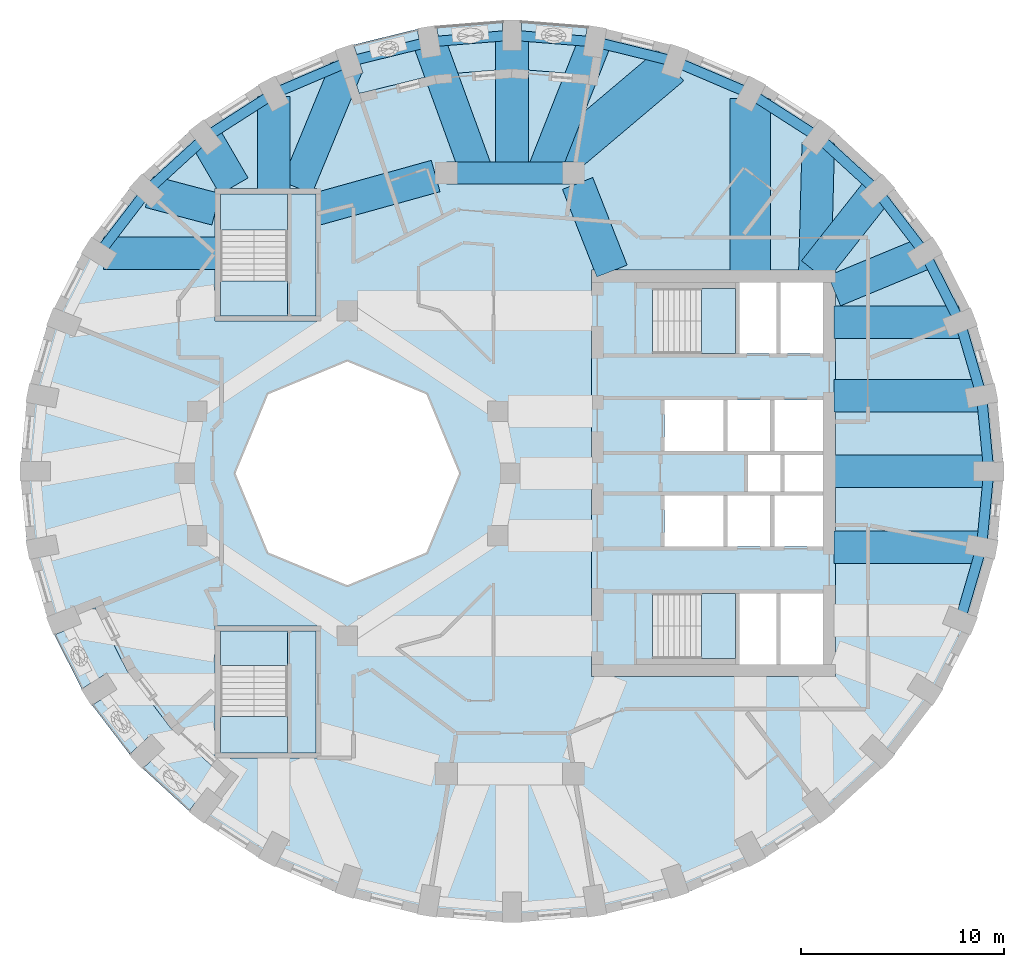
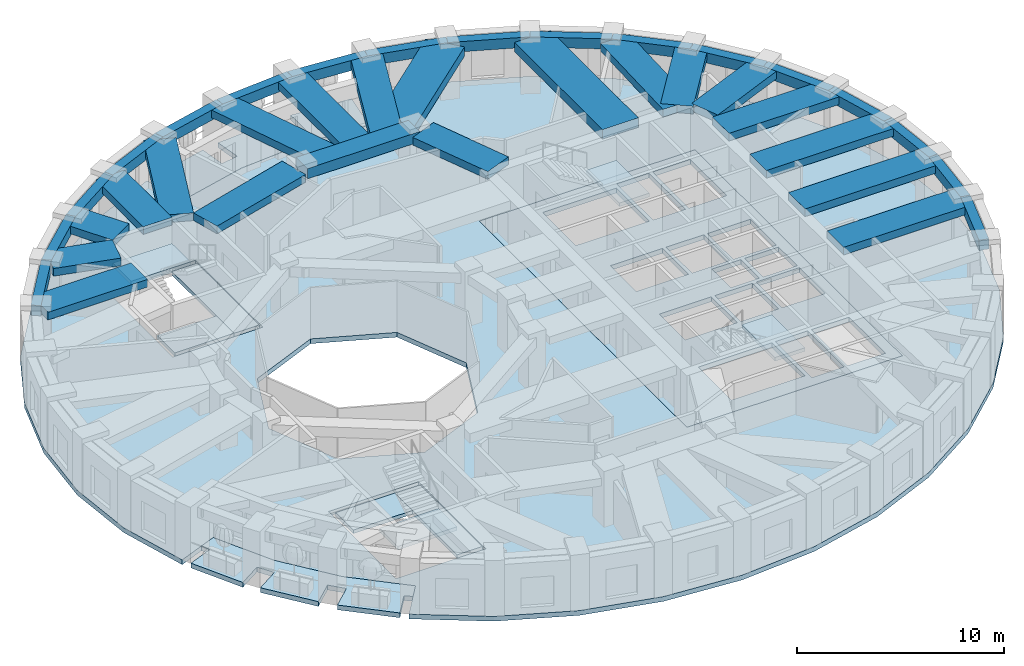
# One storey, part 2 of 11: 37 beams, 12 slabs, 4 elements without a shape of their own.
"""IFC4 building model written with IfcOpenShell, lengths in metres."""

from ifc_helpers import new_model, si_unit, direction, frame, origin, origin_2d, place, context, subcontext, project, spatial, polyline, rectangle, outline, extrude, material, layer, layer_set, material_profile, profile_set, type_object, element, aggregate, save


model = new_model("IFC4")

# Units and contexts
model_context = context("Model", 3, precision=1e-05, world=origin(), true_north=direction((0.0, 1.0)))
body_context = subcontext(model_context, "Body", "Model", "MODEL_VIEW")
ifc_project = project(units=[si_unit("LENGTHUNIT", "METRE"), si_unit("AREAUNIT", "SQUARE_METRE"), si_unit("VOLUMEUNIT", "CUBIC_METRE"), si_unit("PLANEANGLEUNIT", "RADIAN"), si_unit("MASSUNIT", "GRAM", prefix="KILO")], contexts=[model_context])

# Site, building, storey
site_placement = place(None, origin())
site = spatial("IfcSite", under=ifc_project, at=site_placement, CompositionType="ELEMENT")
building_placement = place(site_placement, origin())
building = spatial("IfcBuilding", under=site, at=building_placement, Name="Taillehof Tower", CompositionType="ELEMENT")
storey_placement = place(building_placement, frame((0.0, 0.0, 174.800048828125)))
storey = spatial("IfcBuildingStorey", under=building, at=storey_placement, Name="L49", CompositionType="ELEMENT", Elevation=174.800048828125)

# Beams
ifc_material_1 = material(Name="Concrete C50/60", Category="concrete")
ifc_material_profile_1 = material_profile(ifc_material_1, rectangle(XDim=1.10009765625, YDim=0.60009765625, at=origin_2d()), Name="RC 1100x600")
ifc_profile_set_1 = profile_set([ifc_material_profile_1], Name="Concrete C50/60")
beam_type_1 = type_object("IfcBeamType", Name="Mid-ring beam C50/60 1100x600", PredefinedType="BEAM", material=ifc_profile_set_1)
beam_1_placement = place(storey_placement, frame((3.125732421875, 14.772216796875, 2.719970703125), z_axis=(-1.0, 0.0, 0.0), x_axis=(0.0, -1.0, 0.0)))
element("IfcBeam", 1, at=beam_1_placement, inside=storey, type_object=beam_type_1, Name="Mid-ring beam MB01", PredefinedType="BEAM", context=body_context, shape_type="SweptSolid", body=[
    extrude(rectangle(XDim=1.10009765625, YDim=0.60009765625, at=origin_2d()), origin(), (0.0, 0.0, 1.0), 6.25146484375),
])
ifc_material_2 = material(Name="Concrete C50/60", Category="concrete")
ifc_material_profile_2 = material_profile(ifc_material_2, rectangle(XDim=1.60009765625, YDim=0.449951171875, at=origin_2d()), Name="RC 1600x450")
ifc_profile_set_2 = profile_set([ifc_material_profile_2], Name="Concrete C50/60")
beam_type_2 = type_object("IfcBeamType", Name="Radial band beam C50/60 1600x450", PredefinedType="BEAM", material=ifc_profile_set_2)
beam_2_placement = place(storey_placement, frame((23.550048828125, 0.10009765625, 2.794921875), z_axis=(-1.0, 0.0, 0.0), x_axis=(0.0, -1.0, 0.0)))
element("IfcBeam", 2, at=beam_2_placement, inside=storey, type_object=beam_type_2, Name="Radial band beam RB01", PredefinedType="BEAM", context=body_context, shape_type="SweptSolid", body=[
    extrude(rectangle(XDim=1.60009765625, YDim=0.449951171875, at=origin_2d()), origin(), (0.0, 0.0, 1.0), 7.60009765625),
])
beam_3_placement = place(storey_placement, frame((23.19384765625, 3.82470703125, 2.794921875), z_axis=(-1.0, 0.0, 0.0), x_axis=(0.0, -1.0, 0.0)))
element("IfcBeam", 3, at=beam_3_placement, inside=storey, type_object=beam_type_2, Name="Radial band beam RB02", PredefinedType="BEAM", context=body_context, shape_type="SweptSolid", body=[
    extrude(rectangle(XDim=1.60009765625, YDim=0.449951171875, at=origin_2d()), origin(), (0.0, 0.0, 1.0), 7.243896484375),
])
beam_4_placement = place(storey_placement, frame((22.08642578125, 7.436279296875, 2.794921875), z_axis=(-1.0, 0.0, 0.0), x_axis=(0.0, -1.0, 0.0)))
element("IfcBeam", 4, at=beam_4_placement, inside=storey, type_object=beam_type_2, Name="Radial band beam RB03", PredefinedType="BEAM", context=body_context, shape_type="SweptSolid", body=[
    extrude(rectangle(XDim=1.60009765625, YDim=0.449951171875, at=origin_2d()), origin(), (0.0, 0.0, 1.0), 6.136474609375),
])
beam_5_placement = place(storey_placement, frame((20.408203125, 10.824951171875, 2.794921875), z_axis=(-0.92395697655, -0.382496412381, 0.0), x_axis=(0.382496412381, -0.92395697655, 0.0)))
element("IfcBeam", 5, at=beam_5_placement, inside=storey, type_object=beam_type_2, Name="Radial band beam RB04", PredefinedType="BEAM", context=body_context, shape_type="SweptSolid", body=[
    extrude(rectangle(XDim=1.60009765625, YDim=0.449951171875, at=origin_2d()), origin(), (0.0, 0.0, 1.0), 4.821044921875),
])
beam_6_placement = place(storey_placement, frame((18.063720703125, 13.8876953125, 2.794921875), z_axis=(-0.618961692467, -0.785421175713, 0.0), x_axis=(0.785421175713, -0.618961692467, 0.0)))
element("IfcBeam", 6, at=beam_6_placement, inside=storey, type_object=beam_type_2, Name="Radial band beam RB05", PredefinedType="BEAM", context=body_context, shape_type="SweptSolid", body=[
    extrude(rectangle(XDim=1.60009765625, YDim=0.449951171875, at=origin_2d()), origin(), (0.0, 0.0, 1.0), 4.999755859375),
])
beam_7_placement = place(storey_placement, frame((15.166259765625, 16.259765625, 2.794921875), z_axis=(-0.026533506529, -0.999647924537, 0.0), x_axis=(0.999647924537, -0.026533506529, 0.0)))
element("IfcBeam", 7, at=beam_7_placement, inside=storey, type_object=beam_type_2, Name="Radial band beam RB06", PredefinedType="BEAM", context=body_context, shape_type="SweptSolid", body=[
    extrude(rectangle(XDim=1.60009765625, YDim=0.449951171875, at=origin_2d()), origin(), (0.0, 0.0, 1.0), 6.31201171875),
])
beam_8_placement = place(storey_placement, frame((4.172119140625, 21.22412109375, 2.794921875), z_axis=(-0.36711444375, -0.930175781877, 0.0), x_axis=(0.930175781877, -0.36711444375, 0.0)))
element("IfcBeam", 8, at=beam_8_placement, inside=storey, type_object=beam_type_2, Name="Radial band beam RB09", PredefinedType="BEAM", context=body_context, shape_type="SweptSolid", body=[
    extrude(rectangle(XDim=1.60009765625, YDim=0.449951171875, at=origin_2d()), origin(), (0.0, 0.0, 1.0), 6.936279296875),
])
beam_9_placement = place(storey_placement, frame((0.10009765625, 21.550048828125, 2.794921875), z_axis=(0.0, -1.0, 0.0), x_axis=(1.0, 0.0, 0.0)))
element("IfcBeam", 9, at=beam_9_placement, inside=storey, type_object=beam_type_2, Name="Radial band beam RB10", PredefinedType="BEAM", context=body_context, shape_type="SweptSolid", body=[
    extrude(rectangle(XDim=1.60009765625, YDim=0.449951171875, at=origin_2d()), origin(), (0.0, 0.0, 1.0), 6.77783203125),
])
beam_10_placement = place(storey_placement, frame((-3.97216796875, 21.22412109375, 2.794921875), z_axis=(0.341780181607, -0.939779925015, 0.0), x_axis=(0.939779925015, 0.341780181607, 0.0)))
element("IfcBeam", 10, at=beam_10_placement, inside=storey, type_object=beam_type_2, Name="Radial band beam RB11", PredefinedType="BEAM", context=body_context, shape_type="SweptSolid", body=[
    extrude(rectangle(XDim=1.60009765625, YDim=0.449951171875, at=origin_2d()), origin(), (0.0, 0.0, 1.0), 6.865234375),
])
beam_11_placement = place(storey_placement, frame((-8.04443359375, 19.95556640625, 2.794921875), z_axis=(-0.381176869418, -0.924502133162, 0.0), x_axis=(0.924502133162, -0.381176869418, 0.0)))
element("IfcBeam", 11, at=beam_11_placement, inside=storey, type_object=beam_type_2, Name="Radial band beam RB12", PredefinedType="BEAM", context=body_context, shape_type="SweptSolid", body=[
    extrude(rectangle(XDim=1.60009765625, YDim=0.449951171875, at=origin_2d()), origin(), (0.0, 0.0, 1.0), 6.382568359375),
])
beam_12_placement = place(storey_placement, frame((-11.625, 18.536376953125, 2.794921875), z_axis=(0.0, -1.0, 0.0), x_axis=(1.0, 0.0, 0.0)))
element("IfcBeam", 12, at=beam_12_placement, inside=storey, type_object=beam_type_2, Name="Radial band beam RB13", PredefinedType="BEAM", context=body_context, shape_type="SweptSolid", body=[
    extrude(rectangle(XDim=1.60009765625, YDim=0.449951171875, at=origin_2d()), origin(), (0.0, 0.0, 1.0), 4.58642578125),
])
beam_13_placement = place(storey_placement, frame((-14.973388671875, 16.53173828125, 2.794921875), z_axis=(0.502991419937, -0.864291404255, 0.0), x_axis=(0.864291404255, 0.502991419937, 0.0)))
element("IfcBeam", 13, at=beam_13_placement, inside=storey, type_object=beam_type_2, Name="Radial band beam RB14", PredefinedType="BEAM", context=body_context, shape_type="SweptSolid", body=[
    extrude(rectangle(XDim=1.60009765625, YDim=0.449951171875, at=origin_2d()), origin(), (0.0, 0.0, 1.0), 2.779296875),
])
beam_14_placement = place(storey_placement, frame((-17.72998046875, 13.8525390625, 2.794921875), z_axis=(0.966882543987, -0.255221758736, 0.0), x_axis=(0.255221758736, 0.966882543987, 0.0)))
element("IfcBeam", 14, at=beam_14_placement, inside=storey, type_object=beam_type_2, Name="Radial band beam RB15", PredefinedType="BEAM", context=body_context, shape_type="SweptSolid", body=[
    extrude(rectangle(XDim=1.60009765625, YDim=0.449951171875, at=origin_2d()), origin(), (0.0, 0.0, 1.0), 3.381591796875),
])
beam_15_placement = place(storey_placement, frame((-19.9990234375, 10.824951171875, 2.794921875), z_axis=(1.0, 0.0, 0.0), x_axis=(0.0, 1.0, 0.0)))
element("IfcBeam", 15, at=beam_15_placement, inside=storey, type_object=beam_type_2, Name="Radial band beam RB16", PredefinedType="BEAM", context=body_context, shape_type="SweptSolid", body=[
    extrude(rectangle(XDim=1.60009765625, YDim=0.449951171875, at=origin_2d()), origin(), (0.0, 0.0, 1.0), 5.549072265625),
])
beam_16_placement = place(storey_placement, frame((23.19384765625, -3.624755859375, 2.794921875), z_axis=(-1.0, 0.0, 0.0), x_axis=(0.0, -1.0, 0.0)))
element("IfcBeam", 16, at=beam_16_placement, inside=storey, type_object=beam_type_2, Name="Radial band beam RB36", PredefinedType="BEAM", context=body_context, shape_type="SweptSolid", body=[
    extrude(rectangle(XDim=1.60009765625, YDim=0.449951171875, at=origin_2d()), origin(), (0.0, 0.0, 1.0), 7.243896484375),
])
beam_17_placement = place(storey_placement, frame((3.32666015625, 14.26025390625, 2.794921875), z_axis=(0.365588707223, -0.930776502255, 0.0), x_axis=(0.930776502255, 0.365588707223, 0.0)))
element("IfcBeam", 17, at=beam_17_placement, inside=storey, type_object=beam_type_2, Name="Inner band beam IB205", PredefinedType="BEAM", context=body_context, shape_type="SweptSolid", body=[
    extrude(rectangle(XDim=1.60009765625, YDim=0.449951171875, at=origin_2d()), origin(), (0.0, 0.0, 1.0), 4.627197265625),
])
beam_18_placement = place(storey_placement, frame((-3.655517578125, 14.624755859375, 2.794921875), z_axis=(-0.963459369536, -0.267854518821, 0.0), x_axis=(0.267854518821, -0.963459369536, 0.0)))
element("IfcBeam", 18, at=beam_18_placement, inside=storey, type_object=beam_type_2, Name="Inner band beam IB206", PredefinedType="BEAM", context=body_context, shape_type="SweptSolid", body=[
    extrude(rectangle(XDim=1.60009765625, YDim=0.449951171875, at=origin_2d()), origin(), (0.0, 0.0, 1.0), 6.096923828125),
])
ifc_material_3 = material(Name="Concrete C50/60", Category="concrete")
ifc_material_profile_3 = material_profile(ifc_material_3, rectangle(XDim=2.0, YDim=0.550048828125, at=origin_2d()), Name="RC 2000x550")
ifc_profile_set_3 = profile_set([ifc_material_profile_3], Name="Concrete C50/60")
beam_type_3 = type_object("IfcBeamType", Name="Radial band beam C50/60 2000x550", PredefinedType="BEAM", material=ifc_profile_set_3)
beam_19_placement = place(storey_placement, frame((11.824951171875, 18.430908203125, 2.744873046875), z_axis=(0.0, -1.0, 0.0), x_axis=(1.0, 0.0, 0.0)))
element("IfcBeam", 19, at=beam_19_placement, inside=storey, type_object=beam_type_3, Name="Radial band beam RB07", PredefinedType="BEAM", context=body_context, shape_type="SweptSolid", body=[
    extrude(rectangle(XDim=2.0, YDim=0.550048828125, at=origin_2d()), origin(), (0.0, 0.0, 1.0), 8.48095703125),
])
beam_20_placement = place(storey_placement, frame((7.900390625, 20.070556640625, 2.744873046875), z_axis=(-0.764038060196, -0.645171173079, 0.0), x_axis=(0.645171173079, -0.764038060196, 0.0)))
element("IfcBeam", 20, at=beam_20_placement, inside=storey, type_object=beam_type_3, Name="Radial band beam RB08", PredefinedType="BEAM", context=body_context, shape_type="SweptSolid", body=[
    extrude(rectangle(XDim=2.0, YDim=0.550048828125, at=origin_2d()), origin(), (0.0, 0.0, 1.0), 7.880859375),
])
ifc_material_4 = material(Name="Concrete C50/60", Category="concrete")
ifc_material_profile_4 = material_profile(ifc_material_4, rectangle(XDim=0.5, YDim=0.60009765625, at=origin_2d()), Name="RC 500x600")
ifc_profile_set_4 = profile_set([ifc_material_profile_4], Name="Concrete C50/60")
beam_type_4 = type_object("IfcBeamType", Name="Spandrel beam C50/60 500x600", PredefinedType="SPANDREL", material=ifc_profile_set_4)
beam_21_placement = place(storey_placement, frame((23.550048828125, 0.10009765625, 2.719970703125), z_axis=(-0.095200147056, 0.995458151808, 0.0), x_axis=(-0.995458151808, -0.095200147056, 0.0)))
element("IfcBeam", 21, at=beam_21_placement, inside=storey, type_object=beam_type_4, Name="Spandrel beam SB01", PredefinedType="SPANDREL", context=body_context, shape_type="SweptSolid", body=[
    extrude(rectangle(XDim=0.5, YDim=0.60009765625, at=origin_2d()), origin(), (0.0, 0.0, 1.0), 3.74169921875),
])
beam_22_placement = place(storey_placement, frame((23.19384765625, 3.82470703125, 2.719970703125), z_axis=(-0.281158162606, 0.959661444261, 0.0), x_axis=(-0.959661444261, -0.281158162606, 0.0)))
element("IfcBeam", 22, at=beam_22_placement, inside=storey, type_object=beam_type_4, Name="Spandrel beam SB02", PredefinedType="SPANDREL", context=body_context, shape_type="SweptSolid", body=[
    extrude(rectangle(XDim=0.5, YDim=0.60009765625, at=origin_2d()), origin(), (0.0, 0.0, 1.0), 3.763427734375),
])
beam_23_placement = place(storey_placement, frame((22.1357421875, 7.436279296875, 2.719970703125), z_axis=(-0.454183451696, 0.890908183937, 0.0), x_axis=(-0.890908183937, -0.454183451696, 0.0)))
element("IfcBeam", 23, at=beam_23_placement, inside=storey, type_object=beam_type_4, Name="Spandrel beam SB03", PredefinedType="SPANDREL", context=body_context, shape_type="SweptSolid", body=[
    extrude(rectangle(XDim=0.5, YDim=0.60009765625, at=origin_2d()), origin(), (0.0, 0.0, 1.0), 3.8037109375),
])
beam_24_placement = place(storey_placement, frame((20.408203125, 10.824951171875, 2.719970703125), z_axis=(-0.60784004271, 0.794059495553, 0.0), x_axis=(-0.794059495553, -0.60784004271, 0.0)))
element("IfcBeam", 24, at=beam_24_placement, inside=storey, type_object=beam_type_4, Name="Spandrel beam SB04", PredefinedType="SPANDREL", context=body_context, shape_type="SweptSolid", body=[
    extrude(rectangle(XDim=0.5, YDim=0.60009765625, at=origin_2d()), origin(), (0.0, 0.0, 1.0), 3.857177734375),
])
beam_25_placement = place(storey_placement, frame((18.063720703125, 13.8876953125, 2.719970703125), z_axis=(-0.737849657471, 0.674965097594, 0.0), x_axis=(-0.674965097594, -0.737849657471, 0.0)))
element("IfcBeam", 25, at=beam_25_placement, inside=storey, type_object=beam_type_4, Name="Spandrel beam SB05", PredefinedType="SPANDREL", context=body_context, shape_type="SweptSolid", body=[
    extrude(rectangle(XDim=0.5, YDim=0.60009765625, at=origin_2d()), origin(), (0.0, 0.0, 1.0), 3.917236328125),
])
beam_26_placement = place(storey_placement, frame((15.17333984375, 16.53173828125, 2.719970703125), z_axis=(-0.842092940799, 0.53933243835, 0.0), x_axis=(-0.53933243835, -0.842092940799, 0.0)))
element("IfcBeam", 26, at=beam_26_placement, inside=storey, type_object=beam_type_4, Name="Spandrel beam SB06", PredefinedType="SPANDREL", context=body_context, shape_type="SweptSolid", body=[
    extrude(rectangle(XDim=0.5, YDim=0.60009765625, at=origin_2d()), origin(), (0.0, 0.0, 1.0), 3.976318359375),
])
beam_27_placement = place(storey_placement, frame((11.824951171875, 18.67626953125, 2.719970703125), z_axis=(-0.919827173659, 0.392323808351, 0.0), x_axis=(-0.392323808351, -0.919827173659, 0.0)))
element("IfcBeam", 27, at=beam_27_placement, inside=storey, type_object=beam_type_4, Name="Spandrel beam SB07", PredefinedType="SPANDREL", context=body_context, shape_type="SweptSolid", body=[
    extrude(rectangle(XDim=0.5, YDim=0.60009765625, at=origin_2d()), origin(), (0.0, 0.0, 1.0), 4.027587890625),
])
beam_28_placement = place(storey_placement, frame((8.120361328125, 20.25634765625, 2.719970703125), z_axis=(-0.971248584585, 0.238067610023, 0.0), x_axis=(-0.238067610023, -0.971248584585, 0.0)))
element("IfcBeam", 28, at=beam_28_placement, inside=storey, type_object=beam_type_4, Name="Spandrel beam SB08", PredefinedType="SPANDREL", context=body_context, shape_type="SweptSolid", body=[
    extrude(rectangle(XDim=0.5, YDim=0.60009765625, at=origin_2d()), origin(), (0.0, 0.0, 1.0), 4.065185546875),
])
beam_29_placement = place(storey_placement, frame((4.172119140625, 21.22412109375, 2.719970703125), z_axis=(-0.996812047205, 0.079785603634, 0.0), x_axis=(-0.079785603634, -0.996812047205, 0.0)))
element("IfcBeam", 29, at=beam_29_placement, inside=storey, type_object=beam_type_4, Name="Spandrel beam SB09", PredefinedType="SPANDREL", context=body_context, shape_type="SweptSolid", body=[
    extrude(rectangle(XDim=0.5, YDim=0.60009765625, at=origin_2d()), origin(), (0.0, 0.0, 1.0), 4.0849609375),
])
beam_30_placement = place(storey_placement, frame((0.10009765625, 21.550048828125, 2.719970703125), z_axis=(-0.996812427616, -0.079780850771, 0.0), x_axis=(0.079780850771, -0.996812427616, 0.0)))
element("IfcBeam", 30, at=beam_30_placement, inside=storey, type_object=beam_type_4, Name="Spandrel beam SB10", PredefinedType="SPANDREL", context=body_context, shape_type="SweptSolid", body=[
    extrude(rectangle(XDim=0.5, YDim=0.60009765625, at=origin_2d()), origin(), (0.0, 0.0, 1.0), 4.085205078125),
])
beam_31_placement = place(storey_placement, frame((-3.97216796875, 21.22412109375, 2.719970703125), z_axis=(-0.971248584585, -0.238067610023, 0.0), x_axis=(0.238067610023, -0.971248584585, 0.0)))
element("IfcBeam", 31, at=beam_31_placement, inside=storey, type_object=beam_type_4, Name="Spandrel beam SB11", PredefinedType="SPANDREL", context=body_context, shape_type="SweptSolid", body=[
    extrude(rectangle(XDim=0.5, YDim=0.60009765625, at=origin_2d()), origin(), (0.0, 0.0, 1.0), 4.065185546875),
])
beam_32_placement = place(storey_placement, frame((-7.92041015625, 20.25634765625, 2.719970703125), z_axis=(-0.919827173659, -0.392323808351, 0.0), x_axis=(0.392323808351, -0.919827173659, 0.0)))
element("IfcBeam", 32, at=beam_32_placement, inside=storey, type_object=beam_type_4, Name="Spandrel beam SB12", PredefinedType="SPANDREL", context=body_context, shape_type="SweptSolid", body=[
    extrude(rectangle(XDim=0.5, YDim=0.60009765625, at=origin_2d()), origin(), (0.0, 0.0, 1.0), 4.027587890625),
])
beam_33_placement = place(storey_placement, frame((-11.625, 18.67626953125, 2.719970703125), z_axis=(-0.842092940799, -0.53933243835, 0.0), x_axis=(0.53933243835, -0.842092940799, 0.0)))
element("IfcBeam", 33, at=beam_33_placement, inside=storey, type_object=beam_type_4, Name="Spandrel beam SB13", PredefinedType="SPANDREL", context=body_context, shape_type="SweptSolid", body=[
    extrude(rectangle(XDim=0.5, YDim=0.60009765625, at=origin_2d()), origin(), (0.0, 0.0, 1.0), 3.976318359375),
])
beam_34_placement = place(storey_placement, frame((-14.973388671875, 16.53173828125, 2.719970703125), z_axis=(-0.737849657471, -0.674965097594, 0.0), x_axis=(0.674965097594, -0.737849657471, 0.0)))
element("IfcBeam", 34, at=beam_34_placement, inside=storey, type_object=beam_type_4, Name="Spandrel beam SB14", PredefinedType="SPANDREL", context=body_context, shape_type="SweptSolid", body=[
    extrude(rectangle(XDim=0.5, YDim=0.60009765625, at=origin_2d()), origin(), (0.0, 0.0, 1.0), 3.917236328125),
])
beam_35_placement = place(storey_placement, frame((-17.86376953125, 13.8876953125, 2.719970703125), z_axis=(-0.60784004271, -0.794059495553, 0.0), x_axis=(0.794059495553, -0.60784004271, 0.0)))
element("IfcBeam", 35, at=beam_35_placement, inside=storey, type_object=beam_type_4, Name="Spandrel beam SB15", PredefinedType="SPANDREL", context=body_context, shape_type="SweptSolid", body=[
    extrude(rectangle(XDim=0.5, YDim=0.60009765625, at=origin_2d()), origin(), (0.0, 0.0, 1.0), 3.857177734375),
])
beam_36_placement = place(storey_placement, frame((22.1357421875, -7.236328125, 2.719970703125), z_axis=(0.281158162606, 0.959661444261, 0.0), x_axis=(-0.959661444261, 0.281158162606, 0.0)))
element("IfcBeam", 36, at=beam_36_placement, inside=storey, type_object=beam_type_4, Name="Spandrel beam SB35", PredefinedType="SPANDREL", context=body_context, shape_type="SweptSolid", body=[
    extrude(rectangle(XDim=0.5, YDim=0.60009765625, at=origin_2d()), origin(), (0.0, 0.0, 1.0), 3.763427734375),
])
beam_37_placement = place(storey_placement, frame((23.19384765625, -3.624755859375, 2.719970703125), z_axis=(0.095193963834, 0.995458743118, 0.0), x_axis=(-0.995458743118, 0.095193963834, 0.0)))
element("IfcBeam", 37, at=beam_37_placement, inside=storey, type_object=beam_type_4, Name="Spandrel beam SB36", PredefinedType="SPANDREL", context=body_context, shape_type="SweptSolid", body=[
    extrude(rectangle(XDim=0.5, YDim=0.60009765625, at=origin_2d()), origin(), (0.0, 0.0, 1.0), 3.741943359375),
])

# Slabs
ifc_material_5 = material(Name="Concrete C40/50", Category="concrete")
ifc_layer_1 = layer(ifc_material_5, 0.280029296875)
ifc_layer_set_1 = layer_set([ifc_layer_1], Name="Balcony slab 280")
slab_type_1 = type_object("IfcSlabType", Name="Balcony slab 280", PredefinedType="USERDEFINED", material=ifc_layer_set_1)
slab_1_placement = place(storey_placement, frame((0.0, 0.0, -0.280029296875)))
element("IfcSlab", 38, at=slab_1_placement, inside=storey, type_object=slab_type_1, Name="Balcony L49 pocket 6", ObjectType="BALCONY", PredefinedType="USERDEFINED", context=body_context, shape_type="SweptSolid", body=[
    extrude(outline(polyline([(-13.991455078125, -15.00439453125), (-14.541015625, -15.718017578125), (-14.892333984375, -15.447509765625), (-15.783447265625, -16.605224609375), (-18.063232421875, -14.513916015625), (-16.98974609375, -13.531982421875), (-17.630859375, -12.8310546875), (-18.7080078125, -13.81640625), (-20.551025390625, -11.40185546875), (-19.320556640625, -10.62744140625), (-19.82666015625, -9.823486328125), (-21.06103515625, -10.600341796875), (-22.41455078125, -7.937255859375), (-21.0634765625, -7.4013671875), (-21.24658203125, -6.939697265625), (-20.40966796875, -6.607666015625), (-18.82666015625, -9.7216796875), (-16.66748046875, -12.550048828125), (-13.991455078125, -15.00439453125)])), origin(), (0.0, 0.0, 1.0), 0.280029296875),
])
slab_2_placement = place(storey_placement, frame((0.0, 0.0, -0.280029296875)))
element("IfcSlab", 39, at=slab_2_placement, inside=storey, type_object=slab_type_1, Name="Balcony L49 pocket 2", ObjectType="BALCONY", PredefinedType="USERDEFINED", context=body_context, shape_type="SweptSolid", body=[
    extrude(outline(polyline([(-7.416748046875, 18.684814453125), (-7.701904296875, 19.53857421875), (-7.232177734375, 19.695556640625), (-7.694580078125, 21.079833984375), (-4.5546875, 21.8515625), (-4.3212890625, 20.407958984375), (-3.38330078125, 20.5595703125), (-3.61669921875, 22.001708984375), (-0.375, 22.261962890625), (-0.375, 20.800048828125), (0.574951171875, 20.800048828125), (0.574951171875, 22.261962890625), (3.816650390625, 22.001708984375), (3.58349609375, 20.5595703125), (4.062744140625, 20.48193359375), (3.9189453125, 19.593505859375), (0.10009765625, 19.89990234375), (-3.718994140625, 19.593505859375), (-7.416748046875, 18.684814453125)])), origin(), (0.0, 0.0, 1.0), 0.280029296875),
])
ifc_material_6 = material(Name="Concrete C40/50", Category="concrete")
ifc_layer_2 = layer(ifc_material_6, 0.280029296875)
ifc_layer_set_2 = layer_set([ifc_layer_2], Name="Core floor slab C40/50 280")
slab_type_2 = type_object("IfcSlabType", Name="Core floor slab C40/50 280", PredefinedType="FLOOR", material=ifc_layer_set_2)
slab_3_placement = place(storey_placement, frame((0.0, 0.0, -0.280029296875)))
element("IfcSlab", 40, at=slab_3_placement, inside=storey, type_object=slab_type_2, Name="Core floor L49", PredefinedType="FLOOR", context=body_context, shape_type="SweptSolid", body=[
    extrude(outline(polyline([(4.0, -10.0), (4.0, 10.0), (16.0, 10.0), (16.0, -10.0), (4.0, -10.0)]), holes=[polyline([(11.10009765625, -9.10009765625), (11.10009765625, -5.89990234375), (7.00048828125, -5.89990234375), (7.00048828125, -9.10009765625), (11.10009765625, -9.10009765625)]), polyline([(10.5, -3.60009765625), (10.5, -1.10009765625), (7.60009765625, -1.10009765625), (7.60009765625, -3.60009765625), (10.5, -3.60009765625)]), polyline([(12.800048828125, -3.60009765625), (12.800048828125, -1.10009765625), (10.699951171875, -1.10009765625), (10.699951171875, -3.60009765625), (12.800048828125, -3.60009765625)]), polyline([(10.5, 1.10009765625), (10.5, 3.60009765625), (7.60009765625, 3.60009765625), (7.60009765625, 1.10009765625), (10.5, 1.10009765625)]), polyline([(12.800048828125, 1.10009765625), (12.800048828125, 3.60009765625), (10.699951171875, 3.60009765625), (10.699951171875, 1.10009765625), (12.800048828125, 1.10009765625)]), polyline([(11.10009765625, 5.89990234375), (11.10009765625, 9.10009765625), (7.00048828125, 9.10009765625), (7.00048828125, 5.89990234375), (11.10009765625, 5.89990234375)]), polyline([(13.10009765625, 5.89990234375), (13.10009765625, 9.39990234375), (11.300048828125, 9.39990234375), (11.300048828125, 5.89990234375), (13.10009765625, 5.89990234375)]), polyline([(13.10009765625, -5.89990234375), (11.300048828125, -5.89990234375), (11.300048828125, -9.39990234375), (13.10009765625, -9.39990234375), (13.10009765625, -5.89990234375)]), polyline([(15.39990234375, -9.39990234375), (15.39990234375, -5.89990234375), (13.300048828125, -5.89990234375), (13.300048828125, -9.39990234375), (15.39990234375, -9.39990234375)]), polyline([(15.39990234375, -3.60009765625), (15.39990234375, -1.10009765625), (13.0, -1.10009765625), (13.0, -3.60009765625), (15.39990234375, -3.60009765625)]), polyline([(13.300048828125, -0.89990234375), (13.300048828125, 0.89990234375), (11.699951171875, 0.89990234375), (11.699951171875, -0.89990234375), (13.300048828125, -0.89990234375)]), polyline([(15.39990234375, -0.89990234375), (15.39990234375, 0.89990234375), (13.5, 0.89990234375), (13.5, -0.89990234375), (15.39990234375, -0.89990234375)]), polyline([(15.39990234375, 1.10009765625), (15.39990234375, 3.60009765625), (13.0, 3.60009765625), (13.0, 1.10009765625), (15.39990234375, 1.10009765625)]), polyline([(15.39990234375, 5.89990234375), (15.39990234375, 9.39990234375), (13.300048828125, 9.39990234375), (13.300048828125, 5.89990234375), (15.39990234375, 5.89990234375)])]), origin(), (0.0, 0.0, 1.0), 0.280029296875),
])
ifc_material_7 = material(Name="Concrete C40/50", Category="concrete")
ifc_layer_3 = layer(ifc_material_7, 0.280029296875)
ifc_layer_set_3 = layer_set([ifc_layer_3], Name="Floor slab 280")
slab_type_3 = type_object("IfcSlabType", Name="Floor slab 280", PredefinedType="FLOOR", material=ifc_layer_set_3)
slab_4_placement = place(storey_placement, frame((0.0, 0.0, -0.280029296875)))
element("IfcSlab", 41, at=slab_4_placement, inside=storey, type_object=slab_type_3, Name="Floor slab L49", PredefinedType="FLOOR", context=body_context, shape_type="SweptSolid", body=[
    extrude(outline(polyline([(24.300048828125, 0.10009765625), (23.932373046875, 3.955078125), (22.840576171875, 7.69287109375), (21.057861328125, 11.199951171875), (18.63818359375, 14.369873046875), (15.655517578125, 17.106201171875), (12.199951171875, 19.32568359375), (8.376953125, 20.961181640625), (4.30224609375, 21.962646484375), (3.919189453125, 19.593505859375), (0.10009765625, 19.89990234375), (-3.718994140625, 19.593505859375), (-7.416748046875, 18.684814453125), (-8.177001953125, 20.961181640625), (-12.0, 19.32568359375), (-15.45556640625, 17.106201171875), (-18.438232421875, 14.369873046875), (-20.85791015625, 11.199951171875), (-22.640625, 7.69287109375), (-23.732421875, 3.955078125), (-24.10009765625, 0.10009765625), (-23.732421875, -3.7548828125), (-22.640625, -7.492919921875), (-20.40966796875, -6.607666015625), (-18.82666015625, -9.7216796875), (-16.66748046875, -12.550048828125), (-13.991455078125, -15.00439453125), (-15.45556640625, -16.90625), (-12.0, -19.125732421875), (-8.177001953125, -20.76123046875), (-4.102294921875, -21.7626953125), (0.10009765625, -22.10009765625), (4.30224609375, -21.7626953125), (8.376953125, -20.76123046875), (12.199951171875, -19.125732421875), (15.655517578125, -16.90625), (18.63818359375, -14.169921875), (21.057861328125, -11.0), (22.840576171875, -7.492919921875), (23.932373046875, -3.7548828125), (24.300048828125, 0.10009765625)]), holes=[polyline([(-14.5, -7.5), (-9.5, -7.5), (-9.5, -14.0), (-14.5, -14.0), (-14.5, -7.5)]), polyline([(-8.0, -5.5), (-11.88916015625, -3.88916015625), (-13.5, 0.0), (-11.88916015625, 3.88916015625), (-8.0, 5.5), (-4.11083984375, 3.88916015625), (-2.5, 0.0), (-4.11083984375, -3.88916015625), (-8.0, -5.5)]), polyline([(16.0, 10.0), (16.0, -10.0), (4.0, -10.0), (4.0, 10.0), (16.0, 10.0)]), polyline([(-14.5, 14.0), (-9.5, 14.0), (-9.5, 7.5), (-14.5, 7.5), (-14.5, 14.0)])]), origin(), (0.0, 0.0, 1.0), 0.280029296875),
])

# Stair, slab
ifc_material_8 = material(Name="Concrete C40/50", Category="concrete")
stair_type = type_object("IfcStairType", Name="Exit stair half-turn", PredefinedType="HALF_TURN_STAIR", material=ifc_material_8)
stair_1_placement = place(storey_placement, origin())
stair_1 = element("IfcStair", 42, at=stair_1_placement, inside=storey, type_object=stair_type, Name="Exit stair S1", PredefinedType="HALF_TURN_STAIR")
ifc_material_9 = material(Name="Concrete C40/50", Category="concrete")
ifc_layer_4 = layer(ifc_material_9, 0.2099609375)
ifc_layer_set_4 = layer_set([ifc_layer_4], Name="Stair landing C40/50 210")
slab_type_4 = type_object("IfcSlabType", Name="Stair landing C40/50 210", PredefinedType="LANDING", material=ifc_layer_set_4)
slab_5_placement = place(storey_placement, frame((0.0, 0.0, 1.43994140625)))
slab_5 = element("IfcSlab", 43, at=slab_5_placement, type_object=slab_type_4, Name="S1 landing 1", PredefinedType="LANDING", context=body_context, shape_type="SweptSolid", body=[
    extrude(outline(polyline([(9.429931640625, 5.89990234375), (11.10009765625, 5.89990234375), (11.10009765625, 9.10009765625), (9.429931640625, 9.10009765625), (9.429931640625, 5.89990234375)])), origin(), (0.0, 0.0, 1.0), 0.2099609375),
])
aggregate(stair_1, [slab_5])

stair_2_placement = place(storey_placement, origin())
stair_2 = element("IfcStair", 44, at=stair_2_placement, inside=storey, type_object=stair_type, Name="Exit stair S2", PredefinedType="HALF_TURN_STAIR")
slab_6_placement = place(storey_placement, frame((0.0, 0.0, 1.43994140625)))
slab_6 = element("IfcSlab", 45, at=slab_6_placement, type_object=slab_type_4, Name="S2 landing 1", PredefinedType="LANDING", context=body_context, shape_type="SweptSolid", body=[
    extrude(outline(polyline([(9.429931640625, -5.89990234375), (11.10009765625, -5.89990234375), (11.10009765625, -9.10009765625), (9.429931640625, -9.10009765625), (9.429931640625, -5.89990234375)])), origin(), (0.0, 0.0, 1.0), 0.2099609375),
])
aggregate(stair_2, [slab_6])

stair_3_placement = place(storey_placement, origin())
stair_3 = element("IfcStair", 46, at=stair_3_placement, inside=storey, type_object=stair_type, Name="Exit stair S3", PredefinedType="HALF_TURN_STAIR")
slab_7_placement = place(storey_placement, frame((0.0, 0.0, 1.43994140625)))
slab_7 = element("IfcSlab", 47, at=slab_7_placement, type_object=slab_type_4, Name="S3 landing 1", PredefinedType="LANDING", context=body_context, shape_type="SweptSolid", body=[
    extrude(outline(polyline([(-14.25, 11.969970703125), (-14.25, 13.75), (-10.949951171875, 13.75), (-10.949951171875, 11.969970703125), (-14.25, 11.969970703125)])), origin(), (0.0, 0.0, 1.0), 0.2099609375),
])
aggregate(stair_3, [slab_7])

stair_4_placement = place(storey_placement, origin())
stair_4 = element("IfcStair", 48, at=stair_4_placement, inside=storey, type_object=stair_type, Name="Exit stair S4", PredefinedType="HALF_TURN_STAIR")
slab_8_placement = place(storey_placement, frame((0.0, 0.0, 1.43994140625)))
slab_8 = element("IfcSlab", 49, at=slab_8_placement, type_object=slab_type_4, Name="S4 landing 1", PredefinedType="LANDING", context=body_context, shape_type="SweptSolid", body=[
    extrude(outline(polyline([(-14.25, -11.969970703125), (-14.25, -13.75), (-10.949951171875, -13.75), (-10.949951171875, -11.969970703125), (-14.25, -11.969970703125)])), origin(), (0.0, 0.0, 1.0), 0.2099609375),
])
aggregate(stair_4, [slab_8])

# Slabs
slab_9_placement = place(storey_placement, frame((0.0, 0.0, -0.2099609375)))
element("IfcSlab", 50, at=slab_9_placement, inside=storey, type_object=slab_type_4, Name="Stair S3 floor landing", PredefinedType="LANDING", context=body_context, shape_type="SweptSolid", body=[
    extrude(outline(polyline([(-14.25, 7.75), (-14.25, 9.449951171875), (-10.949951171875, 9.449951171875), (-10.949951171875, 7.75), (-14.25, 7.75)])), origin(), (0.0, 0.0, 1.0), 0.2099609375),
])
slab_10_placement = place(storey_placement, frame((0.0, 0.0, -0.2099609375)))
element("IfcSlab", 51, at=slab_10_placement, inside=storey, type_object=slab_type_4, Name="Stair lobby S3 floor", PredefinedType="LANDING", context=body_context, shape_type="SweptSolid", body=[
    extrude(outline(polyline([(-10.949951171875, 7.75), (-9.550048828125, 7.75), (-9.550048828125, 13.75), (-10.949951171875, 13.75), (-10.949951171875, 7.75)])), origin(), (0.0, 0.0, 1.0), 0.2099609375),
])
slab_11_placement = place(storey_placement, frame((0.0, 0.0, -0.2099609375)))
element("IfcSlab", 52, at=slab_11_placement, inside=storey, type_object=slab_type_4, Name="Stair S4 floor landing", PredefinedType="LANDING", context=body_context, shape_type="SweptSolid", body=[
    extrude(outline(polyline([(-14.25, -7.75), (-14.25, -9.449951171875), (-10.949951171875, -9.449951171875), (-10.949951171875, -7.75), (-14.25, -7.75)])), origin(), (0.0, 0.0, 1.0), 0.2099609375),
])
slab_12_placement = place(storey_placement, frame((0.0, 0.0, -0.2099609375)))
element("IfcSlab", 53, at=slab_12_placement, inside=storey, type_object=slab_type_4, Name="Stair lobby S4 floor", PredefinedType="LANDING", context=body_context, shape_type="SweptSolid", body=[
    extrude(outline(polyline([(-10.949951171875, -13.75), (-9.550048828125, -13.75), (-9.550048828125, -7.75), (-10.949951171875, -7.75), (-10.949951171875, -13.75)])), origin(), (0.0, 0.0, 1.0), 0.2099609375),
])

save(model, "model.ifc")
